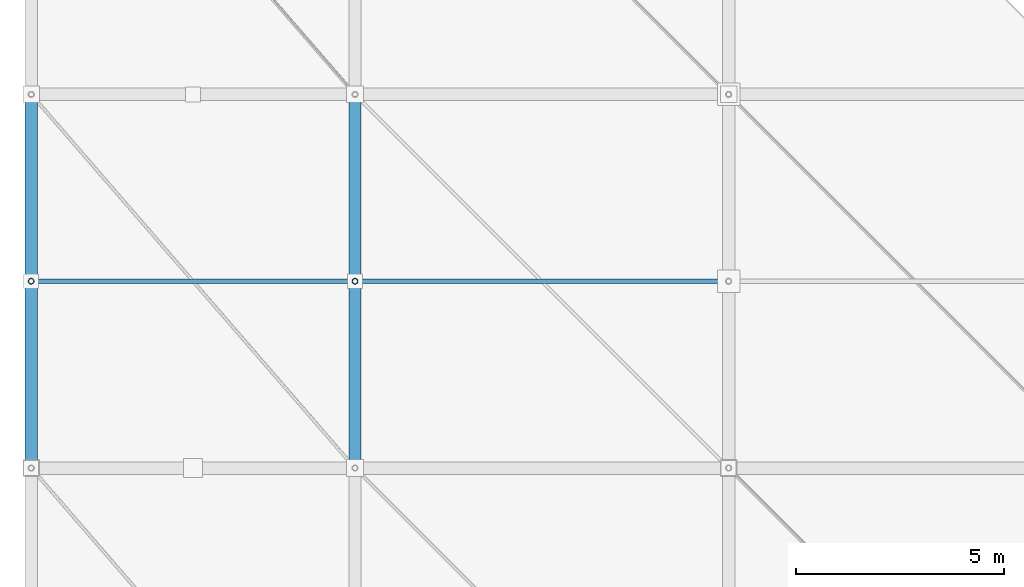
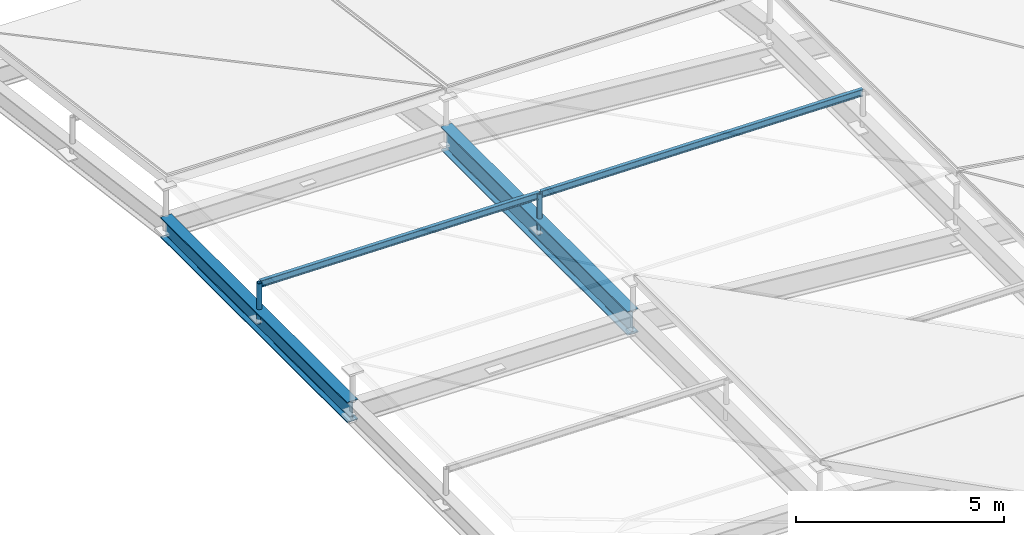
# One storey, part 8 of 80: 4 members, 2 beams.
"""IFC4 building model written with IfcOpenShell, lengths in metres."""

from ifc_helpers import new_model, si_unit, direction, frame, origin, origin_2d, place, context, subcontext, project, spatial, hollow_circle, i_section, extrude, material, material_profile, profile_set, type_object, element, save


model = new_model("IFC4")

# Units and contexts
model_context = context("Model", 3, precision=1e-05, world=origin(), true_north=direction((0.0, 1.0)))
body_context = subcontext(model_context, "Body", "Model", "MODEL_VIEW")
ifc_project = project(units=[si_unit("LENGTHUNIT", "METRE"), si_unit("AREAUNIT", "SQUARE_METRE"), si_unit("VOLUMEUNIT", "CUBIC_METRE"), si_unit("PLANEANGLEUNIT", "RADIAN"), si_unit("MASSUNIT", "GRAM", prefix="KILO")], contexts=[model_context])

# Site, building, storey
site_placement = place(None, origin())
site = spatial("IfcSite", under=ifc_project, at=site_placement, CompositionType="ELEMENT")
building_placement = place(site_placement, origin())
building = spatial("IfcBuilding", under=site, at=building_placement, Name="Barlavento Convention Centre", CompositionType="ELEMENT")
storey_placement = place(building_placement, frame((0.0, 0.0, 29.800048828125)))
storey = spatial("IfcBuildingStorey", under=building, at=storey_placement, Name="RF", CompositionType="ELEMENT", Elevation=29.800048828125)

# Beams
ifc_material_1 = material(Name="Steel S355", Category="steel")
ifc_material_profile_1 = material_profile(ifc_material_1, i_section(OverallWidth=0.300048828125, OverallDepth=0.60009765625, WebThickness=0.015380859375, FlangeThickness=0.030029296875, FilletRadius=0.027099609375, at=origin_2d()), Name="HEB 600")
ifc_profile_set_1 = profile_set([ifc_material_profile_1], Name="Steel S355")
beam_type_1 = type_object("IfcBeamType", Name="STR-BM-CANT-HEB600", PredefinedType="BEAM", material=ifc_profile_set_1)
beam_1_placement = place(storey_placement, frame((-7.800048828125, 18.0048828125, 0.39990234375), z_axis=(0.0, 1.0, 0.0), x_axis=(-1.0, 0.0, 0.0)))
element("IfcBeam", 1, at=beam_1_placement, inside=storey, type_object=beam_type_1, Name="Congress roof truss space frame chord", PredefinedType="BEAM", context=body_context, shape_type="SweptSolid", body=[
    extrude(i_section(OverallWidth=0.300048828125, OverallDepth=0.60009765625, WebThickness=0.015380859375, FlangeThickness=0.030029296875, FilletRadius=0.027099609375, at=origin_2d()), origin(), (0.0, 0.0, 1.0), 8.990234375),
])
ifc_material_2 = material(Name="Steel S460", Category="steel")
ifc_material_profile_2 = material_profile(ifc_material_2, i_section(OverallWidth=0.300048828125, OverallDepth=0.699951171875, WebThickness=0.01708984375, FlangeThickness=0.031982421875, FilletRadius=0.027099609375, at=origin_2d()), Name="HEB 700")
ifc_profile_set_2 = profile_set([ifc_material_profile_2], Name="Steel S460")
beam_type_2 = type_object("IfcBeamType", Name="STR-BM-TRUSS-TOP-HEB700", PredefinedType="BEAM", material=ifc_profile_set_2)
beam_2_placement = place(storey_placement, frame((0.0, 18.0048828125, 0.286865234375), z_axis=(0.0, 1.0, 0.0), x_axis=(-1.0, 0.0, 0.0)))
element("IfcBeam", 2, at=beam_2_placement, inside=storey, type_object=beam_type_2, Name="Congress roof truss space frame chord", PredefinedType="BEAM", context=body_context, shape_type="SweptSolid", body=[
    extrude(i_section(OverallWidth=0.300048828125, OverallDepth=0.699951171875, WebThickness=0.01708984375, FlangeThickness=0.031982421875, FilletRadius=0.027099609375, at=origin_2d()), origin(), (0.0, 0.0, 1.0), 8.990234375),
])

# Members
ifc_material_profile_3 = material_profile(ifc_material_1, hollow_circle(Radius=0.06982421875, WallThickness=0.008056640625, at=origin_2d()), Name="CHS 139.7x8.0")
ifc_profile_set_3 = profile_set([ifc_material_profile_3], Name="Steel S355")
member_type_1 = type_object("IfcMemberType", Name="STR-MEM-DIAG-CHS139", PredefinedType="BRACE", material=ifc_profile_set_3)
member_1_placement = place(storey_placement, frame((-7.800048828125, 22.5, 0.280029296875), z_axis=(0.0, 0.0, 1.0), x_axis=(1.0, 0.0, 0.0)))
element("IfcMember", 3, at=member_1_placement, inside=storey, type_object=member_type_1, Name="Congress space frame vertical node post TD04", PredefinedType="BRACE", context=body_context, shape_type="SweptSolid", body=[
    extrude(hollow_circle(Radius=0.06982421875, WallThickness=0.008056640625, at=origin_2d()), origin(), (0.0, 0.0, 1.0), 1.181640625),
])
member_2_placement = place(storey_placement, frame((0.0, 22.5, 0.166748046875), z_axis=(0.0, 0.0, 1.0), x_axis=(1.0, 0.0, 0.0)))
element("IfcMember", 4, at=member_2_placement, inside=storey, type_object=member_type_1, Name="Congress space frame vertical node post TD04", PredefinedType="BRACE", context=body_context, shape_type="SweptSolid", body=[
    extrude(hollow_circle(Radius=0.06982421875, WallThickness=0.008056640625, at=origin_2d()), origin(), (0.0, 0.0, 1.0), 1.19677734375),
])
ifc_material_profile_4 = material_profile(ifc_material_1, i_section(OverallWidth=0.10009765625, OverallDepth=0.199951171875, WebThickness=0.005615234375, FlangeThickness=0.008544921875, FilletRadius=0.011962890625, at=origin_2d()), Name="IPE 200")
ifc_profile_set_4 = profile_set([ifc_material_profile_4], Name="Steel S355")
member_type_2 = type_object("IfcMemberType", Name="STR-MEM-PUR-IPE200", PredefinedType="PURLIN", material=ifc_profile_set_4)
member_3_placement = place(storey_placement, frame((-7.780029296875, 22.5, 1.421630859375), z_axis=(0.999894837982, 0.0, -0.014502171474), x_axis=(0.0, 1.0, 0.0)))
element("IfcMember", 5, at=member_3_placement, inside=storey, type_object=member_type_2, Name="Congress roof intermediate purlin PR01", PredefinedType="PURLIN", context=body_context, shape_type="SweptSolid", body=[
    extrude(i_section(OverallWidth=0.10009765625, OverallDepth=0.199951171875, WebThickness=0.005615234375, FlangeThickness=0.008544921875, FilletRadius=0.011962890625, at=origin_2d()), origin(), (0.0, 0.0, 1.0), 7.7607421875),
])
member_4_placement = place(storey_placement, frame((0.02001953125, 22.5, 1.323486328125), z_axis=(0.999894950811, 0.0, -0.014494390023), x_axis=(0.0, 1.0, 0.0)))
element("IfcMember", 6, at=member_4_placement, inside=storey, type_object=member_type_2, Name="Congress roof intermediate purlin PR01", PredefinedType="PURLIN", context=body_context, shape_type="SweptSolid", body=[
    extrude(i_section(OverallWidth=0.10009765625, OverallDepth=0.199951171875, WebThickness=0.005615234375, FlangeThickness=0.008544921875, FilletRadius=0.011962890625, at=origin_2d()), origin(), (0.0, 0.0, 1.0), 8.9609375),
])

save(model, "model.ifc")
